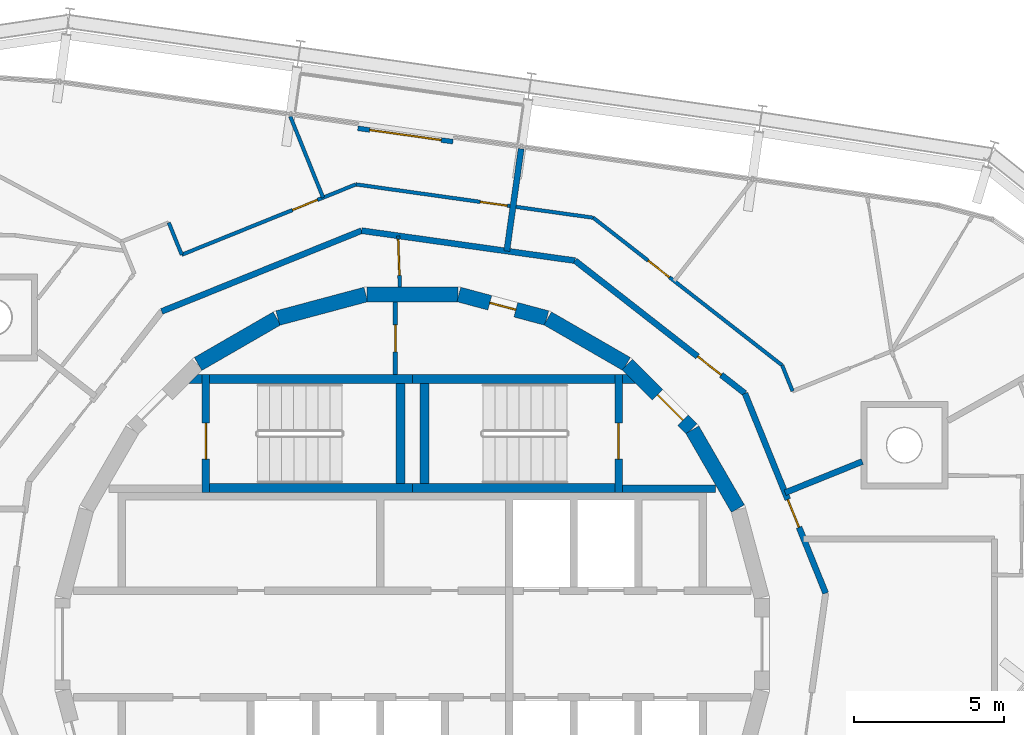
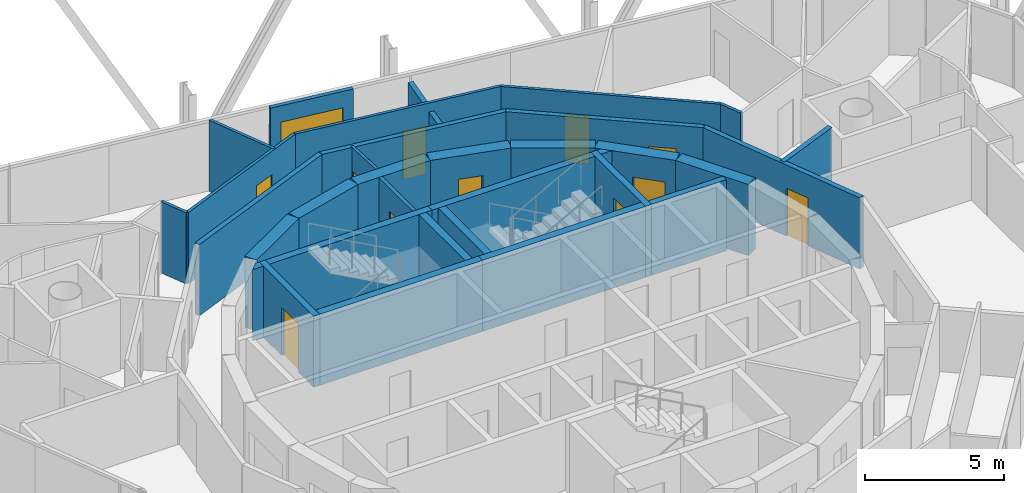
# One storey, part 13 of 15: 33 walls, 12 doors, 12 openings.
"""IFC4 building model written with IfcOpenShell, lengths in metres."""

from ifc_helpers import new_model, si_unit, direction, frame, frame_2d, origin, place, context, subcontext, project, spatial, polyline, rectangle, outline, extrude, material, layer, layer_set, type_object, element, fill, save


model = new_model("IFC4")

# Units and contexts
model_context = context("Model", 3, precision=1e-05, world=origin(), true_north=direction((0.0, 1.0)))
body_context = subcontext(model_context, "Body", "Model", "MODEL_VIEW")
ifc_project = project(units=[si_unit("LENGTHUNIT", "METRE"), si_unit("AREAUNIT", "SQUARE_METRE"), si_unit("VOLUMEUNIT", "CUBIC_METRE"), si_unit("PLANEANGLEUNIT", "RADIAN"), si_unit("MASSUNIT", "GRAM", prefix="KILO")], contexts=[model_context])

# Site, building, storey
site_placement = place(None, origin())
site = spatial("IfcSite", under=ifc_project, at=site_placement, CompositionType="ELEMENT")
building_placement = place(site_placement, origin())
building = spatial("IfcBuilding", under=site, at=building_placement, Name="Spindle Arch Residences", CompositionType="ELEMENT")
storey_placement = place(building_placement, frame((0.0, 0.0, 347.0)))
storey = spatial("IfcBuildingStorey", under=building, at=storey_placement, Name="L89", CompositionType="ELEMENT", Elevation=347.0)

# Wall
ifc_material_1 = material(Name="Concrete C50/60", Category="concrete")
ifc_layer_1 = layer(ifc_material_1, 0.5)
ifc_layer_set_1 = layer_set([ifc_layer_1], Name="Core outline wall 500")
wall_type_1 = type_object("IfcWallType", Name="Core outline wall 500", PredefinedType="SHEAR", material=ifc_layer_set_1)
wall_1_placement = place(storey_placement, frame((10.84521484375, 4.510498046875, 0.0), z_axis=(0.0, 0.0, 1.0), x_axis=(-0.500087131594, 0.865975092491, 0.0)))
element("IfcWall", 1, at=wall_1_placement, inside=storey, type_object=wall_type_1, Name="Core outline wall 8", PredefinedType="SHEAR", context=body_context, shape_type="SweptSolid", body=[
    extrude(rectangle(XDim=3.03271484375, YDim=0.5, at=frame_2d((1.516357421875, 0.0))), origin(), (0.0, 0.0, 1.0), 3.1201171875),
])

# Wall, opening, door
wall_2_placement = place(storey_placement, frame((9.30810546875, 7.163818359375, 0.0), z_axis=(0.0, 0.0, 1.0), x_axis=(-0.707106781187, 0.707106781187, 0.0)))
wall_2 = element("IfcWall", 2, at=wall_2_placement, inside=storey, type_object=wall_type_1, Name="Core outline wall 9", PredefinedType="SHEAR", context=body_context, shape_type="SweptSolid", body=[
    extrude(rectangle(XDim=3.032470703125, YDim=0.5, at=frame_2d((1.51611328125, 0.0))), origin(), (0.0, 0.0, 1.0), 3.1201171875),
])
opening_1_placement = place(wall_2_placement, frame((0.416259765625, 0.0, 0.0)))
opening_1 = element("IfcOpeningElement", 3, at=opening_1_placement, cuts=wall_2, Name="Opening R9B0-AD01", PredefinedType="OPENING", context=body_context, shape_type="SweptSolid", body=[
    extrude(rectangle(XDim=1.199951171875, YDim=2.10009765625, at=frame_2d((0.60009765625, 1.050048828125))), frame((0.0, 0.260009765625, 0.0), z_axis=(0.0, -1.0, 0.0), x_axis=(1.0, 0.0, 0.0)), (0.0, 0.0, 1.0), 0.52001953125),
])
ifc_material_2 = material(Name="Steel, fire-resisting door", Category="steel")
door_type_1 = type_object("IfcDoorType", Name="Stair airlock door 1200x2100", OperationType="SINGLE_SWING_LEFT", PredefinedType="DOOR", material=ifc_material_2)
door_1_placement = place(opening_1_placement, origin())
door_1 = element("IfcDoor", 4, at=door_1_placement, inside=storey, type_object=door_type_1, Name="Stair airlock door R9B0-AD01", OperationType="SINGLE_SWING_RIGHT", OverallHeight=2.10009765625, OverallWidth=1.199951171875, PredefinedType="DOOR", context=body_context, shape_type="SweptSolid", body=[
    extrude(rectangle(XDim=1.199951171875, YDim=2.10009765625, at=frame_2d((0.60009765625, 1.050048828125))), frame((0.0, 0.02490234375, 0.0), z_axis=(0.0, -1.0, 0.0), x_axis=(1.0, 0.0, 0.0)), (0.0, 0.0, 1.0), 0.050048828125),
])
fill(opening_1, door_1)

# Wall
wall_3_placement = place(storey_placement, frame((7.13671875, 9.32861328125, 0.0), z_axis=(0.0, 0.0, 1.0), x_axis=(-0.865975092491, 0.500087131594, 0.0)))
element("IfcWall", 5, at=wall_3_placement, inside=storey, type_object=wall_type_1, Name="Core outline wall 10", PredefinedType="SHEAR", context=body_context, shape_type="SweptSolid", body=[
    extrude(rectangle(XDim=3.03271484375, YDim=0.5, at=frame_2d((1.516357421875, 0.0))), origin(), (0.0, 0.0, 1.0), 3.1201171875),
])

# Wall, opening, door
wall_4_placement = place(storey_placement, frame((4.479248046875, 10.858154296875, 0.0), z_axis=(0.0, 0.0, 1.0), x_axis=(-0.965948410781, 0.258734743916, 0.0)))
wall_4 = element("IfcWall", 6, at=wall_4_placement, inside=storey, type_object=wall_type_1, Name="Core outline wall 11", PredefinedType="SHEAR", context=body_context, shape_type="SweptSolid", body=[
    extrude(rectangle(XDim=3.03271484375, YDim=0.5, at=frame_2d((1.516357421875, 0.0))), origin(), (0.0, 0.0, 1.0), 3.1201171875),
])
opening_2_placement = place(wall_4_placement, frame((1.066162109375, 0.0, 0.0)))
opening_2 = element("IfcOpeningElement", 7, at=opening_2_placement, cuts=wall_4, Name="Opening R9B0-WD11", PredefinedType="OPENING", context=body_context, shape_type="SweptSolid", body=[
    extrude(rectangle(XDim=0.89990234375, YDim=2.10009765625, at=frame_2d((0.449951171875, 1.050048828125))), frame((0.0, 0.260009765625, 0.0), z_axis=(0.0, -1.0, 0.0), x_axis=(1.0, 0.0, 0.0)), (0.0, 0.0, 1.0), 0.52001953125),
])
ifc_material_3 = material(Name="Steel, fire-resisting door", Category="steel")
door_type_2 = type_object("IfcDoorType", Name="Service room door 900x2100", OperationType="SINGLE_SWING_LEFT", PredefinedType="DOOR", material=ifc_material_3)
door_2_placement = place(opening_2_placement, origin())
door_2 = element("IfcDoor", 8, at=door_2_placement, inside=storey, type_object=door_type_2, Name="Service room door R9B0-WD11", OperationType="SINGLE_SWING_LEFT", OverallHeight=2.10009765625, OverallWidth=0.89990234375, PredefinedType="DOOR", context=body_context, shape_type="SweptSolid", body=[
    extrude(rectangle(XDim=0.89990234375, YDim=2.10009765625, at=frame_2d((0.449951171875, 1.050048828125))), frame((0.0, 0.02490234375, 0.0), z_axis=(0.0, -1.0, 0.0), x_axis=(1.0, 0.0, 0.0)), (0.0, 0.0, 1.0), 0.050048828125),
])
fill(opening_2, door_2)

# Walls
for number, where, z_axis, x_axis, name in (
    (9, (1.516357421875, 11.647216796875, 0.0), (0.0, 0.0, 1.0), (-1.0, 0.0, 0.0), "Core outline wall 12"),
    (10, (-1.5498046875, 11.642822265625, 0.0), (0.0, 0.0, 1.0), (-0.965948410781, -0.258734743916, 0.0), "Core outline wall 13"),
    (11, (-4.510498046875, 10.84521484375, 0.0), (0.0, 0.0, 1.0), (-0.865975092491, -0.500087131594, 0.0), "Core outline wall 14"),
):
    element("IfcWall", number, at=place(storey_placement, frame(where, z_axis=z_axis, x_axis=x_axis)), inside=storey, type_object=wall_type_1, Name=name, PredefinedType="SHEAR", context=body_context, shape_type="SweptSolid", body=[
        extrude(rectangle(XDim=3.03271484375, YDim=0.5, at=frame_2d((1.516357421875, 0.0))), origin(), (0.0, 0.0, 1.0), 3.1201171875),
    ])

# Wall, opening, door
ifc_material_4 = material(Name="Plasterboard on steel studs", Category="steel")
ifc_layer_2 = layer(ifc_material_4, 0.1201171875)
ifc_layer_set_2 = layer_set([ifc_layer_2], Name="Corridor division wall 120")
wall_type_2 = type_object("IfcWallType", Name="Corridor division wall 120", PredefinedType="PARTITIONING", material=ifc_layer_set_2)
wall_5_placement = place(storey_placement, frame((-0.474853515625, 13.598388671875, 0.0), z_axis=(0.0, 0.0, 1.0), x_axis=(0.034852521429, -0.999392466326, 0.0)))
wall_5 = element("IfcWall", 12, at=wall_5_placement, inside=storey, type_object=wall_type_2, Name="Corridor division wall R9B0-W001", PredefinedType="PARTITIONING", context=body_context, shape_type="SweptSolid", body=[
    extrude(rectangle(XDim=1.7021484375, YDim=0.1201171875, at=frame_2d((0.85107421875, 0.0))), origin(), (0.0, 0.0, 1.0), 3.1201171875),
])
opening_3_placement = place(wall_5_placement, frame((0.1201171875, 0.0, 0.0)))
opening_3 = element("IfcOpeningElement", 13, at=opening_3_placement, cuts=wall_5, Name="Opening R9B0-CD01", PredefinedType="OPENING", context=body_context, shape_type="SweptSolid", body=[
    extrude(rectangle(XDim=1.199951171875, YDim=2.10009765625, at=frame_2d((0.60009765625, 1.050048828125))), frame((0.0, 0.070068359375, 0.0), z_axis=(0.0, -1.0, 0.0), x_axis=(1.0, 0.0, 0.0)), (0.0, 0.0, 1.0), 0.14013671875),
])
ifc_material_5 = material(Name="Steel, fire-resisting door", Category="steel")
door_type_3 = type_object("IfcDoorType", Name="Corridor division door 1200x2100", OperationType="NOTDEFINED", PredefinedType="DOOR", material=ifc_material_5)
door_3_placement = place(opening_3_placement, origin())
door_3 = element("IfcDoor", 14, at=door_3_placement, inside=storey, type_object=door_type_3, Name="Corridor division door R9B0-CD01", OperationType="DOUBLE_DOOR_SINGLE_SWING", OverallHeight=2.10009765625, OverallWidth=1.199951171875, PredefinedType="DOOR", context=body_context, shape_type="SweptSolid", body=[
    extrude(rectangle(XDim=1.199951171875, YDim=2.10009765625, at=frame_2d((0.60009765625, 1.050048828125))), frame((0.0, 0.02490234375, 0.0), z_axis=(0.0, -1.0, 0.0), x_axis=(1.0, 0.0, 0.0)), (0.0, 0.0, 1.0), 0.050048828125),
])
fill(opening_3, door_3)

ifc_material_6 = material(Name="Calcium silicate block, plastered")
ifc_layer_3 = layer(ifc_material_6, 0.199951171875)
ifc_layer_set_3 = layer_set([ifc_layer_3], Name="Corridor wall 200")
wall_type_3 = type_object("IfcWallType", Name="Corridor wall 200", PredefinedType="STANDARD", material=ifc_layer_set_3)
wall_6_placement = place(storey_placement, frame((11.0791015625, 8.348876953125, 0.0), z_axis=(0.0, 0.0, 1.0), x_axis=(-0.78800478687, 0.615669112324, 0.0)))
wall_6 = element("IfcWall", 15, at=wall_6_placement, inside=storey, type_object=wall_type_3, Name="Corridor wall R9B0-W006", PredefinedType="STANDARD", context=body_context, shape_type="SweptSolid", body=[
    extrude(rectangle(XDim=7.18115234375, YDim=0.199951171875, at=frame_2d((3.590576171875, 0.0))), origin(), (0.0, 0.0, 1.0), 3.1201171875),
])
opening_4_placement = place(wall_6_placement, frame((1.0, 0.0, 0.0)))
opening_4 = element("IfcOpeningElement", 16, at=opening_4_placement, cuts=wall_6, Name="Opening R9B0-FD02", PredefinedType="OPENING", context=body_context, shape_type="SweptSolid", body=[
    extrude(rectangle(XDim=1.0, YDim=2.10009765625, at=frame_2d((0.5, 1.050048828125))), frame((0.0, 0.10986328125, 0.0), z_axis=(0.0, -1.0, 0.0), x_axis=(1.0, 0.0, 0.0)), (0.0, 0.0, 1.0), 0.219970703125),
])
ifc_material_7 = material(Name="Timber, fire-resisting door set", Category="wood")
door_type_4 = type_object("IfcDoorType", Name="Flat entrance door 1000x2100", OperationType="NOTDEFINED", PredefinedType="DOOR", material=ifc_material_7)
door_4_placement = place(opening_4_placement, origin())
door_4 = element("IfcDoor", 17, at=door_4_placement, inside=storey, type_object=door_type_4, Name="Flat entrance door R9B0-FD02", OperationType="SINGLE_SWING_LEFT", OverallHeight=2.10009765625, OverallWidth=1.0, PredefinedType="DOOR", context=body_context, shape_type="SweptSolid", body=[
    extrude(rectangle(XDim=1.0, YDim=2.10009765625, at=frame_2d((0.5, 1.050048828125))), frame((0.0, 0.02490234375, 0.0), z_axis=(0.0, -1.0, 0.0), x_axis=(1.0, 0.0, 0.0)), (0.0, 0.0, 1.0), 0.050048828125),
])
fill(opening_4, door_4)

# Walls
wall_7_placement = place(storey_placement, frame((5.42041015625, 12.77001953125, 0.0), z_axis=(0.0, 0.0, 1.0), x_axis=(-0.990270565508, 0.139155334385, 0.0)))
element("IfcWall", 18, at=wall_7_placement, inside=storey, type_object=wall_type_3, Name="Corridor wall R9B0-W007", PredefinedType="STANDARD", context=body_context, shape_type="SweptSolid", body=[
    extrude(rectangle(XDim=7.180908203125, YDim=0.199951171875, at=frame_2d((3.59033203125, 0.0))), origin(), (0.0, 0.0, 1.0), 3.1201171875),
])
wall_8_placement = place(storey_placement, frame((-1.690673828125, 13.769287109375, 0.0), z_axis=(0.0, 0.0, 1.0), x_axis=(-0.92717916932, -0.374618189599, 0.0)))
element("IfcWall", 19, at=wall_8_placement, inside=storey, type_object=wall_type_3, Name="Corridor wall R9B0-W011", PredefinedType="STANDARD", context=body_context, shape_type="SweptSolid", body=[
    extrude(rectangle(XDim=7.18115234375, YDim=0.199951171875, at=frame_2d((3.590576171875, 0.0))), origin(), (0.0, 0.0, 1.0), 3.1201171875),
])

# Wall, opening, door
ifc_material_8 = material(Name="Calcium silicate block, plastered")
ifc_layer_4 = layer(ifc_material_8, 0.199951171875)
ifc_layer_set_4 = layer_set([ifc_layer_4], Name="Fire-lift lobby bay wall 200")
wall_type_4 = type_object("IfcWallType", Name="Fire-lift lobby bay wall 200", PredefinedType="STANDARD", material=ifc_layer_set_4)
wall_9_placement = place(storey_placement, frame((13.769287109375, 1.690673828125, 0.0), z_axis=(0.0, 0.0, 1.0), x_axis=(-0.374618189599, 0.92717916932, 0.0)))
wall_9 = element("IfcWall", 20, at=wall_9_placement, inside=storey, type_object=wall_type_4, Name="Fire-lift lobby bay wall R9B0-W005", PredefinedType="STANDARD", context=body_context, shape_type="SweptSolid", body=[
    extrude(rectangle(XDim=7.18115234375, YDim=0.199951171875, at=frame_2d((3.590576171875, 0.0))), origin(), (0.0, 0.0, 1.0), 3.1201171875),
])
opening_5_placement = place(wall_9_placement, frame((2.37060546875, 0.0, 0.0)))
opening_5 = element("IfcOpeningElement", 21, at=opening_5_placement, cuts=wall_9, Name="Opening R9B0-FD01", PredefinedType="OPENING", context=body_context, shape_type="SweptSolid", body=[
    extrude(rectangle(XDim=1.0, YDim=2.10009765625, at=frame_2d((0.5, 1.050048828125))), frame((0.0, 0.10986328125, 0.0), z_axis=(0.0, -1.0, 0.0), x_axis=(1.0, 0.0, 0.0)), (0.0, 0.0, 1.0), 0.219970703125),
])
door_5_placement = place(opening_5_placement, origin())
door_5 = element("IfcDoor", 22, at=door_5_placement, inside=storey, type_object=door_type_4, Name="Flat entrance door R9B0-FD01", OperationType="SINGLE_SWING_LEFT", OverallHeight=2.10009765625, OverallWidth=1.0, PredefinedType="DOOR", context=body_context, shape_type="SweptSolid", body=[
    extrude(rectangle(XDim=1.0, YDim=2.10009765625, at=frame_2d((0.5, 1.050048828125))), frame((0.0, 0.02490234375, 0.0), z_axis=(0.0, -1.0, 0.0), x_axis=(1.0, 0.0, 0.0)), (0.0, 0.0, 1.0), 0.050048828125),
])
fill(opening_5, door_5)

# Wall
ifc_material_9 = material(Name="Plasterboard on steel studs", Category="steel")
ifc_layer_5 = layer(ifc_material_9, 0.1201171875)
ifc_layer_set_5 = layer_set([ifc_layer_5], Name="Flat partition 120")
wall_type_5 = type_object("IfcWallType", Name="Flat partition 120", PredefinedType="PARTITIONING", material=ifc_layer_set_5)
wall_10_placement = place(storey_placement, frame((12.667236328125, 8.422607421875, 0.0), z_axis=(0.0, 0.0, 1.0), x_axis=(-0.374697807675, 0.927146996395, 0.0)))
element("IfcWall", 23, at=wall_10_placement, inside=storey, type_object=wall_type_5, Name="Flat partition R9B0-W043", PredefinedType="PARTITIONING", context=body_context, shape_type="SweptSolid", body=[
    extrude(rectangle(XDim=0.928466796875, YDim=0.1201171875, at=frame_2d((0.46435546875, 0.0))), origin(), (0.0, 0.0, 1.0), 3.1201171875),
])

# Wall, opening, door
wall_11_placement = place(storey_placement, frame((12.3193359375, 9.283447265625, 0.0), z_axis=(0.0, 0.0, 1.0), x_axis=(-0.788000268464, 0.61567489546, 0.0)))
wall_11 = element("IfcWall", 24, at=wall_11_placement, inside=storey, type_object=wall_type_5, Name="Flat partition R9B0-W044", PredefinedType="PARTITIONING", context=body_context, shape_type="SweptSolid", body=[
    extrude(rectangle(XDim=7.98486328125, YDim=0.1201171875, at=frame_2d((3.992431640625, 0.0))), origin(), (0.0, 0.0, 1.0), 3.1201171875),
])
opening_6_placement = place(wall_11_placement, frame((4.765380859375, 0.0, 0.0)))
opening_6 = element("IfcOpeningElement", 25, at=opening_6_placement, cuts=wall_11, Name="Opening R9B0-ID06", PredefinedType="OPENING", context=body_context, shape_type="SweptSolid", body=[
    extrude(rectangle(XDim=0.89990234375, YDim=2.10009765625, at=frame_2d((0.449951171875, 1.050048828125))), frame((0.0, 0.070068359375, 0.0), z_axis=(0.0, -1.0, 0.0), x_axis=(1.0, 0.0, 0.0)), (0.0, 0.0, 1.0), 0.14013671875),
])
ifc_material_10 = material(Name="Timber door set", Category="wood")
door_type_5 = type_object("IfcDoorType", Name="Room door 900x2100", OperationType="NOTDEFINED", PredefinedType="DOOR", material=ifc_material_10)
door_6_placement = place(opening_6_placement, origin())
door_6 = element("IfcDoor", 26, at=door_6_placement, inside=storey, type_object=door_type_5, Name="Room door R9B0-ID06", OperationType="SINGLE_SWING_LEFT", OverallHeight=2.10009765625, OverallWidth=0.89990234375, PredefinedType="DOOR", context=body_context, shape_type="SweptSolid", body=[
    extrude(rectangle(XDim=0.89990234375, YDim=2.10009765625, at=frame_2d((0.449951171875, 1.050048828125))), frame((0.0, 0.02490234375, 0.0), z_axis=(0.0, -1.0, 0.0), x_axis=(1.0, 0.0, 0.0)), (0.0, 0.0, 1.0), 0.050048828125),
])
fill(opening_6, door_6)

wall_12_placement = place(storey_placement, frame((6.02734375, 14.199462890625, 0.0), z_axis=(0.0, 0.0, 1.0), x_axis=(-0.990271593532, 0.139148018469, 0.0)))
wall_12 = element("IfcWall", 27, at=wall_12_placement, inside=storey, type_object=wall_type_5, Name="Flat partition R9B0-W045", PredefinedType="PARTITIONING", context=body_context, shape_type="SweptSolid", body=[
    extrude(rectangle(XDim=7.98486328125, YDim=0.1201171875, at=frame_2d((3.992431640625, 0.0))), origin(), (0.0, 0.0, 1.0), 3.1201171875),
])
opening_7_placement = place(wall_12_placement, frame((2.898193359375, 0.0, 0.0)))
opening_7 = element("IfcOpeningElement", 28, at=opening_7_placement, cuts=wall_12, Name="Opening R9B0-ID08", PredefinedType="OPENING", context=body_context, shape_type="SweptSolid", body=[
    extrude(rectangle(XDim=0.89990234375, YDim=2.10009765625, at=frame_2d((0.449951171875, 1.050048828125))), frame((0.0, 0.070068359375, 0.0), z_axis=(0.0, -1.0, 0.0), x_axis=(1.0, 0.0, 0.0)), (0.0, 0.0, 1.0), 0.14013671875),
])
door_7_placement = place(opening_7_placement, origin())
door_7 = element("IfcDoor", 29, at=door_7_placement, inside=storey, type_object=door_type_5, Name="Room door R9B0-ID08", OperationType="SINGLE_SWING_LEFT", OverallHeight=2.10009765625, OverallWidth=0.89990234375, PredefinedType="DOOR", context=body_context, shape_type="SweptSolid", body=[
    extrude(rectangle(XDim=0.89990234375, YDim=2.10009765625, at=frame_2d((0.449951171875, 1.050048828125))), frame((0.0, 0.02490234375, 0.0), z_axis=(0.0, -1.0, 0.0), x_axis=(1.0, 0.0, 0.0)), (0.0, 0.0, 1.0), 0.050048828125),
])
fill(opening_7, door_7)

wall_13_placement = place(storey_placement, frame((-1.8798828125, 15.310546875, 0.0), z_axis=(0.0, 0.0, 1.0), x_axis=(-0.927182163322, -0.374610779365, 0.0)))
wall_13 = element("IfcWall", 30, at=wall_13_placement, inside=storey, type_object=wall_type_5, Name="Flat partition R9B0-W050", PredefinedType="PARTITIONING", context=body_context, shape_type="SweptSolid", body=[
    extrude(rectangle(XDim=6.257080078125, YDim=0.1201171875, at=frame_2d((3.12841796875, 0.0))), origin(), (0.0, 0.0, 1.0), 3.1201171875),
])
opening_8_placement = place(wall_13_placement, frame((1.37744140625, 0.0, 0.0)))
opening_8 = element("IfcOpeningElement", 31, at=opening_8_placement, cuts=wall_13, Name="Opening R9B0-ID09", PredefinedType="OPENING", context=body_context, shape_type="SweptSolid", body=[
    extrude(rectangle(XDim=0.89990234375, YDim=2.10009765625, at=frame_2d((0.449951171875, 1.050048828125))), frame((0.0, 0.070068359375, 0.0), z_axis=(0.0, -1.0, 0.0), x_axis=(1.0, 0.0, 0.0)), (0.0, 0.0, 1.0), 0.14013671875),
])
door_8_placement = place(opening_8_placement, origin())
door_8 = element("IfcDoor", 32, at=door_8_placement, inside=storey, type_object=door_type_5, Name="Room door R9B0-ID09", OperationType="SINGLE_SWING_RIGHT", OverallHeight=2.10009765625, OverallWidth=0.89990234375, PredefinedType="DOOR", context=body_context, shape_type="SweptSolid", body=[
    extrude(rectangle(XDim=0.89990234375, YDim=2.10009765625, at=frame_2d((0.449951171875, 1.050048828125))), frame((0.0, 0.02490234375, 0.0), z_axis=(0.0, -1.0, 0.0), x_axis=(1.0, 0.0, 0.0)), (0.0, 0.0, 1.0), 0.050048828125),
])
fill(opening_8, door_8)

# Walls
wall_14_placement = place(storey_placement, frame((-7.681396484375, 12.966552734375, 0.0), z_axis=(0.0, 0.0, 1.0), x_axis=(-0.374592224266, 0.927189659951, 0.0)))
element("IfcWall", 33, at=wall_14_placement, inside=storey, type_object=wall_type_5, Name="Flat partition R9B0-W051", PredefinedType="PARTITIONING", context=body_context, shape_type="SweptSolid", body=[
    extrude(rectangle(XDim=1.15625, YDim=0.1201171875, at=frame_2d((0.578125, 0.0))), origin(), (0.0, 0.0, 1.0), 3.1201171875),
])
wall_15_placement = place(storey_placement, frame((-4.06494140625, 17.5751953125, 0.0), z_axis=(0.0, 0.0, 1.0), x_axis=(0.374619347258, -0.927178701578, 0.0)))
element("IfcWall", 34, at=wall_15_placement, inside=storey, type_object=wall_type_5, Name="Flat partition R9B0-W055", PredefinedType="PARTITIONING", context=body_context, shape_type="SweptSolid", body=[
    extrude(rectangle(XDim=2.918212890625, YDim=0.1201171875, at=frame_2d((1.458984375, 0.0))), origin(), (0.0, 0.0, 1.0), 3.1201171875),
])
ifc_material_11 = material(Name="Calcium silicate block, plastered")
ifc_layer_6 = layer(ifc_material_11, 0.199951171875)
ifc_layer_set_6 = layer_set([ifc_layer_6], Name="Flat party wall 200")
wall_type_6 = type_object("IfcWallType", Name="Flat party wall 200", PredefinedType="STANDARD", material=ifc_layer_set_6)
wall_16_placement = place(storey_placement, frame((14.9892578125, 6.07861328125, 0.0), z_axis=(0.0, 0.0, 1.0), x_axis=(-0.927203056473, -0.374559063523, 0.0)))
element("IfcWall", 35, at=wall_16_placement, inside=storey, type_object=wall_type_6, Name="Flat party wall R9B0-W023", PredefinedType="STANDARD", context=body_context, shape_type="SweptSolid", body=[
    extrude(rectangle(XDim=2.774658203125, YDim=0.199951171875, at=frame_2d((1.38720703125, 0.0))), origin(), (0.0, 0.0, 1.0), 3.1201171875),
])
ifc_material_12 = material(Name="Calcium silicate block, plastered")
ifc_layer_7 = layer(ifc_material_12, 0.199951171875)
ifc_layer_set_7 = layer_set([ifc_layer_7], Name="Flat party wall 200 under beam 2730")
wall_type_7 = type_object("IfcWallType", Name="Flat party wall 200 under beam 2730", PredefinedType="STANDARD", material=ifc_layer_set_7)
wall_17_placement = place(storey_placement, frame((3.625, 16.494384765625, 0.0), z_axis=(0.0, 0.0, 1.0), x_axis=(-0.139174320859, -0.990267897295, 0.0)))
element("IfcWall", 36, at=wall_17_placement, inside=storey, type_object=wall_type_7, Name="Flat party wall R9B0-W025", PredefinedType="STANDARD", context=body_context, shape_type="SweptSolid", body=[
    extrude(rectangle(XDim=3.438232421875, YDim=0.199951171875, at=frame_2d((1.71923828125, 0.0))), origin(), (0.0, 0.0, 1.0), 2.72998046875),
])

# Wall, opening, door
ifc_material_13 = material(Name="Non-combustible mineral wool insulated aluminium faced external wall (K0)", Category="aluminium")
ifc_layer_8 = layer(ifc_material_13, 0.159912109375)
ifc_layer_set_8 = layer_set([ifc_layer_8], Name="Insulated external wall panel 160")
wall_type_8 = type_object("IfcWallType", Name="Insulated external wall panel 160", PredefinedType="STANDARD", material=ifc_layer_set_8)
wall_18_placement = place(storey_placement, frame((1.353515625, 16.73291015625, 0.0), z_axis=(0.0, 0.0, 1.0), x_axis=(-0.990270382149, 0.139156639217, 0.0)))
wall_18 = element("IfcWall", 37, at=wall_18_placement, inside=storey, type_object=wall_type_8, Name="External wall L89 bay 7", PredefinedType="STANDARD", context=body_context, shape_type="SweptSolid", body=[
    extrude(rectangle(XDim=3.2001953125, YDim=0.159912109375, at=frame_2d((1.60009765625, 0.0))), origin(), (0.0, 0.0, 1.0), 3.1201171875),
])
opening_9_placement = place(wall_18_placement, frame((0.39990234375, 0.0, 0.0)))
opening_9 = element("IfcOpeningElement", 38, at=opening_9_placement, cuts=wall_18, Name="Opening BD07", PredefinedType="OPENING", context=body_context, shape_type="SweptSolid", body=[
    extrude(rectangle(XDim=2.39990234375, YDim=2.39990234375, at=frame_2d((1.199951171875, 1.199951171875))), frame((0.0, 0.08984375, 0.0), z_axis=(0.0, -1.0, 0.0), x_axis=(1.0, 0.0, 0.0)), (0.0, 0.0, 1.0), 0.179931640625),
])
ifc_material_14 = material(Name="Bronze aluminium frame, tinted double glazing", Category="aluminium")
door_type_6 = type_object("IfcDoorType", Name="Sliding glazed balcony door 2400x2400", OperationType="DOUBLE_DOOR_SLIDING", PredefinedType="DOOR", material=ifc_material_14)
door_9_placement = place(opening_9_placement, origin())
door_9 = element("IfcDoor", 39, at=door_9_placement, inside=storey, type_object=door_type_6, Name="Balcony door BD07", OperationType="DOUBLE_DOOR_SLIDING", OverallHeight=2.39990234375, OverallWidth=2.39990234375, PredefinedType="DOOR", context=body_context, shape_type="SweptSolid", body=[
    extrude(rectangle(XDim=2.39990234375, YDim=2.39990234375, at=frame_2d((1.199951171875, 1.199951171875))), frame((0.0, 0.02490234375, 0.0), z_axis=(0.0, -1.0, 0.0), x_axis=(1.0, 0.0, 0.0)), (0.0, 0.0, 1.0), 0.050048828125),
])
fill(opening_9, door_9)

ifc_material_15 = material(Name="Concrete C25/30", Category="concrete")
ifc_layer_9 = layer(ifc_material_15, 0.14990234375)
ifc_layer_set_9 = layer_set([ifc_layer_9], Name="Service room partition 150")
wall_type_9 = type_object("IfcWallType", Name="Service room partition 150", PredefinedType="PARTITIONING", material=ifc_layer_set_9)
wall_19_placement = place(storey_placement, frame((-0.5615234375, 8.969970703125, 0.0), z_axis=(0.0, 0.0, 1.0), x_axis=(0.0, 1.0, 0.0)))
wall_19 = element("IfcWall", 40, at=wall_19_placement, inside=storey, type_object=wall_type_9, Name="Core service room partition", PredefinedType="PARTITIONING", context=body_context, shape_type="SweptSolid", body=[
    extrude(rectangle(XDim=2.42724609375, YDim=0.14990234375, at=frame_2d((1.213623046875, 0.0))), origin(), (0.0, 0.0, 1.0), 3.1201171875),
])
opening_10_placement = place(wall_19_placement, frame((0.763671875, 0.0, 0.0)))
opening_10 = element("IfcOpeningElement", 41, at=opening_10_placement, cuts=wall_19, Name="Opening R9B0-WD06", PredefinedType="OPENING", context=body_context, shape_type="SweptSolid", body=[
    extrude(rectangle(XDim=0.89990234375, YDim=2.10009765625, at=frame_2d((0.449951171875, 1.050048828125))), frame((0.0, 0.0849609375, 0.0), z_axis=(0.0, -1.0, 0.0), x_axis=(1.0, 0.0, 0.0)), (0.0, 0.0, 1.0), 0.169921875),
])
door_10_placement = place(opening_10_placement, origin())
door_10 = element("IfcDoor", 42, at=door_10_placement, inside=storey, type_object=door_type_2, Name="Service room door R9B0-WD06", OperationType="SINGLE_SWING_RIGHT", OverallHeight=2.10009765625, OverallWidth=0.89990234375, PredefinedType="DOOR", context=body_context, shape_type="SweptSolid", body=[
    extrude(rectangle(XDim=0.89990234375, YDim=2.10009765625, at=frame_2d((0.449951171875, 1.050048828125))), frame((0.0, 0.02490234375, 0.0), z_axis=(0.0, -1.0, 0.0), x_axis=(1.0, 0.0, 0.0)), (0.0, 0.0, 1.0), 0.050048828125),
])
fill(opening_10, door_10)

# Walls
ifc_material_16 = material(Name="Concrete C40/50", Category="concrete")
ifc_layer_10 = layer(ifc_material_16, 0.25)
ifc_layer_set_10 = layer_set([ifc_layer_10], Name="Stair airlock wall 250")
wall_type_10 = type_object("IfcWallType", Name="Stair airlock wall 250", PredefinedType="SHEAR", material=ifc_layer_set_10)
wall_20_placement = place(storey_placement, frame((7.0, 5.175048828125, 0.0), z_axis=(0.0, 0.0, 1.0), x_axis=(1.0, 0.0, 0.0)))
element("IfcWall", 43, at=wall_20_placement, inside=storey, type_object=wall_type_10, Name="Stair ST-1 airlock wall S", PredefinedType="SHEAR", context=body_context, shape_type="SweptSolid", body=[
    extrude(rectangle(XDim=3.10009765625, YDim=0.25, at=frame_2d((1.550048828125, 0.0))), origin(), (0.0, 0.0, 1.0), 3.1201171875),
])
ifc_material_17 = material(Name="Concrete C40/50", Category="concrete")
wall_type_11 = type_object("IfcWallType", Name="Stair airlock wall profile", PredefinedType="SHEAR", material=ifc_material_17)
wall_21_placement = place(storey_placement, origin())
element("IfcWall", 44, at=wall_21_placement, inside=storey, type_object=wall_type_11, Name="Stair ST-1 airlock wall N", PredefinedType="SHEAR", context=body_context, shape_type="SweptSolid", body=[
    extrude(outline(polyline([(7.4482421875, 8.669921875), (7.0, 8.669921875), (7.0, 8.969970703125), (7.148193359375, 8.969970703125), (7.4482421875, 8.669921875)])), origin(), (0.0, 0.0, 1.0), 3.1201171875),
])
wall_22_placement = place(storey_placement, origin())
element("IfcWall", 45, at=wall_22_placement, inside=storey, type_object=wall_type_11, Name="Stair ST-2 airlock wall N", PredefinedType="SHEAR", context=body_context, shape_type="SweptSolid", body=[
    extrude(outline(polyline([(-7.148193359375, 8.969970703125), (-7.0, 8.969970703125), (-7.0, 8.669921875), (-7.4482421875, 8.669921875), (-7.148193359375, 8.969970703125)])), origin(), (0.0, 0.0, 1.0), 3.1201171875),
])

# Wall, opening, door
ifc_material_18 = material(Name="Concrete C50/60", Category="concrete")
ifc_layer_11 = layer(ifc_material_18, 0.25)
ifc_layer_set_11 = layer_set([ifc_layer_11], Name="Stair enclosure wall 250")
wall_type_12 = type_object("IfcWallType", Name="Stair enclosure wall 250", PredefinedType="SHEAR", material=ifc_layer_set_11)
wall_23_placement = place(storey_placement, frame((6.875, 5.050048828125, 0.0), z_axis=(0.0, 0.0, 1.0), x_axis=(0.0, 1.0, 0.0)))
wall_23 = element("IfcWall", 46, at=wall_23_placement, inside=storey, type_object=wall_type_12, Name="Stair ST-1 door wall", PredefinedType="SHEAR", context=body_context, shape_type="SweptSolid", body=[
    extrude(rectangle(XDim=3.919921875, YDim=0.25, at=frame_2d((1.9599609375, 0.0))), origin(), (0.0, 0.0, 1.0), 3.1201171875),
])
opening_11_placement = place(wall_23_placement, frame((1.110107421875, 0.0, 0.0)))
opening_11 = element("IfcOpeningElement", 47, at=opening_11_placement, cuts=wall_23, Name="Opening R9B0-SD01", PredefinedType="OPENING", context=body_context, shape_type="SweptSolid", body=[
    extrude(rectangle(XDim=1.199951171875, YDim=2.10009765625, at=frame_2d((0.60009765625, 1.050048828125))), frame((0.0, 0.135009765625, 0.0), z_axis=(0.0, -1.0, 0.0), x_axis=(1.0, 0.0, 0.0)), (0.0, 0.0, 1.0), 0.27001953125),
])
ifc_material_19 = material(Name="Steel, fire-resisting door", Category="steel")
door_type_7 = type_object("IfcDoorType", Name="Stair door 1200x2100", OperationType="SINGLE_SWING_RIGHT", PredefinedType="DOOR", material=ifc_material_19)
door_11_placement = place(opening_11_placement, origin())
door_11 = element("IfcDoor", 48, at=door_11_placement, inside=storey, type_object=door_type_7, Name="Stair door R9B0-SD01", OperationType="SINGLE_SWING_LEFT", OverallHeight=2.10009765625, OverallWidth=1.199951171875, PredefinedType="DOOR", context=body_context, shape_type="SweptSolid", body=[
    extrude(rectangle(XDim=1.199951171875, YDim=2.10009765625, at=frame_2d((0.60009765625, 1.050048828125))), frame((0.0, 0.02490234375, 0.0), z_axis=(0.0, -1.0, 0.0), x_axis=(1.0, 0.0, 0.0)), (0.0, 0.0, 1.0), 0.050048828125),
])
fill(opening_11, door_11)

wall_24_placement = place(storey_placement, frame((-6.875, 8.969970703125, 0.0), z_axis=(0.0, 0.0, 1.0), x_axis=(0.0, -1.0, 0.0)))
wall_24 = element("IfcWall", 49, at=wall_24_placement, inside=storey, type_object=wall_type_12, Name="Stair ST-2 door wall", PredefinedType="SHEAR", context=body_context, shape_type="SweptSolid", body=[
    extrude(rectangle(XDim=3.919921875, YDim=0.25, at=frame_2d((1.9599609375, 0.0))), origin(), (0.0, 0.0, 1.0), 3.1201171875),
])
opening_12_placement = place(wall_24_placement, frame((1.610107421875, 0.0, 0.0)))
opening_12 = element("IfcOpeningElement", 50, at=opening_12_placement, cuts=wall_24, Name="Opening R9B0-SD02", PredefinedType="OPENING", context=body_context, shape_type="SweptSolid", body=[
    extrude(rectangle(XDim=1.199951171875, YDim=2.10009765625, at=frame_2d((0.60009765625, 1.050048828125))), frame((0.0, 0.135009765625, 0.0), z_axis=(0.0, -1.0, 0.0), x_axis=(1.0, 0.0, 0.0)), (0.0, 0.0, 1.0), 0.27001953125),
])
door_12_placement = place(opening_12_placement, origin())
door_12 = element("IfcDoor", 51, at=door_12_placement, inside=storey, type_object=door_type_7, Name="Stair door R9B0-SD02", OperationType="SINGLE_SWING_LEFT", OverallHeight=2.10009765625, OverallWidth=1.199951171875, PredefinedType="DOOR", context=body_context, shape_type="SweptSolid", body=[
    extrude(rectangle(XDim=1.199951171875, YDim=2.10009765625, at=frame_2d((0.60009765625, 1.050048828125))), frame((0.0, 0.02490234375, 0.0), z_axis=(0.0, -1.0, 0.0), x_axis=(1.0, 0.0, 0.0)), (0.0, 0.0, 1.0), 0.050048828125),
])
fill(opening_12, door_12)

# Walls
ifc_material_20 = material(Name="Concrete C50/60", Category="concrete")
ifc_layer_12 = layer(ifc_material_20, 0.300048828125)
ifc_layer_set_12 = layer_set([ifc_layer_12], Name="Stair enclosure wall 300")
wall_type_13 = type_object("IfcWallType", Name="Stair enclosure wall 300", PredefinedType="SHEAR", material=ifc_layer_set_12)
for number, where, z_axis, x_axis, name in (
    (52, (0.0, 5.199951171875, 0.0), (0.0, 0.0, 1.0), (1.0, 0.0, 0.0), "Stair ST-1 enclosure wall S"),
    (53, (0.0, 8.820068359375, 0.0), (0.0, 0.0, 1.0), (1.0, 0.0, 0.0), "Stair ST-1 enclosure wall N"),
):
    element("IfcWall", number, at=place(storey_placement, frame(where, z_axis=z_axis, x_axis=x_axis)), inside=storey, type_object=wall_type_13, Name=name, PredefinedType="SHEAR", context=body_context, shape_type="SweptSolid", body=[
        extrude(rectangle(XDim=6.75, YDim=0.300048828125, at=frame_2d((3.375, 0.0))), origin(), (0.0, 0.0, 1.0), 3.1201171875),
    ])
wall_25_placement = place(storey_placement, frame((0.39990234375, 5.35009765625, 0.0), z_axis=(0.0, 0.0, 1.0), x_axis=(0.0, 1.0, 0.0)))
element("IfcWall", 54, at=wall_25_placement, inside=storey, type_object=wall_type_13, Name="Stair ST-1 enclosure wall F", PredefinedType="SHEAR", context=body_context, shape_type="SweptSolid", body=[
    extrude(rectangle(XDim=3.31982421875, YDim=0.300048828125, at=frame_2d((1.659912109375, 0.0))), origin(), (0.0, 0.0, 1.0), 3.1201171875),
])
for number, where, z_axis, x_axis, name in (
    (55, (-6.75, 5.199951171875, 0.0), (0.0, 0.0, 1.0), (1.0, 0.0, 0.0), "Stair ST-2 enclosure wall S"),
    (56, (-6.75, 8.820068359375, 0.0), (0.0, 0.0, 1.0), (1.0, 0.0, 0.0), "Stair ST-2 enclosure wall N"),
):
    element("IfcWall", number, at=place(storey_placement, frame(where, z_axis=z_axis, x_axis=x_axis)), inside=storey, type_object=wall_type_13, Name=name, PredefinedType="SHEAR", context=body_context, shape_type="SweptSolid", body=[
        extrude(rectangle(XDim=6.75, YDim=0.300048828125, at=frame_2d((3.375, 0.0))), origin(), (0.0, 0.0, 1.0), 3.1201171875),
    ])
wall_26_placement = place(storey_placement, frame((-0.39990234375, 5.35009765625, 0.0), z_axis=(0.0, 0.0, 1.0), x_axis=(0.0, 1.0, 0.0)))
element("IfcWall", 57, at=wall_26_placement, inside=storey, type_object=wall_type_13, Name="Stair ST-2 enclosure wall F", PredefinedType="SHEAR", context=body_context, shape_type="SweptSolid", body=[
    extrude(rectangle(XDim=3.31982421875, YDim=0.300048828125, at=frame_2d((1.659912109375, 0.0))), origin(), (0.0, 0.0, 1.0), 3.1201171875),
])

save(model, "model.ifc")
